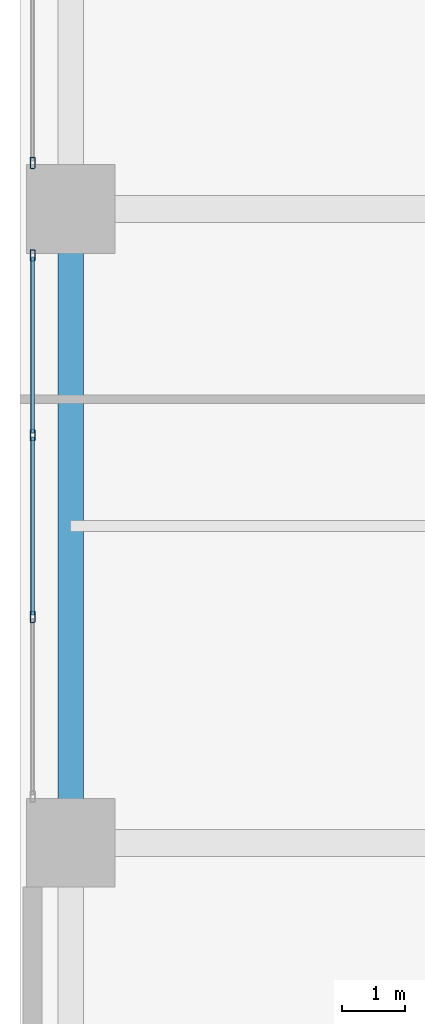
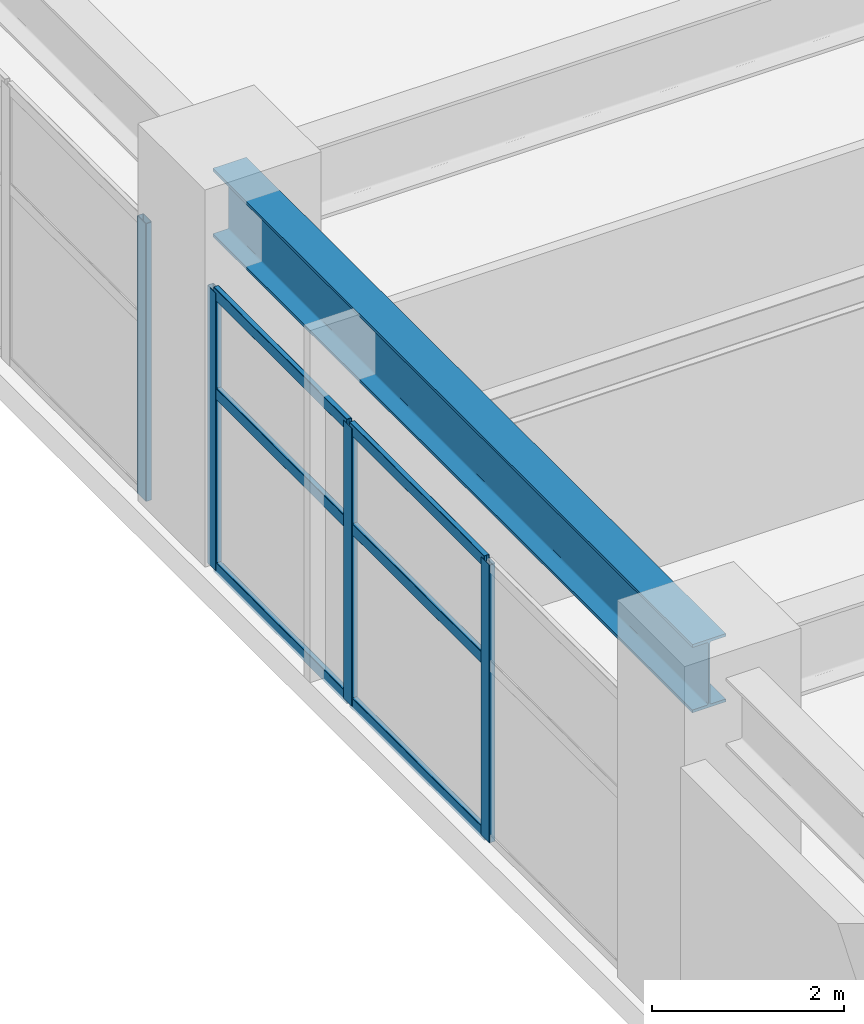
# One storey, part 7 of 28: 10 members, 1 beam, 2 elements without a shape of their own.
"""IFC4 building model written with IfcOpenShell, lengths in metres."""

from ifc_helpers import new_model, si_unit, direction, frame, origin, origin_2d, place, context, subcontext, project, spatial, hollow_rectangle, i_section, extrude, material, layer, layer_set, material_profile, profile_set, type_object, element, aggregate, save


model = new_model("IFC4")

# Units and contexts
model_context = context("Model", 3, precision=1e-05, world=origin(), true_north=direction((0.0, 1.0)))
body_context = subcontext(model_context, "Body", "Model", "MODEL_VIEW")
ifc_project = project(units=[si_unit("LENGTHUNIT", "METRE"), si_unit("AREAUNIT", "SQUARE_METRE"), si_unit("VOLUMEUNIT", "CUBIC_METRE"), si_unit("PLANEANGLEUNIT", "RADIAN"), si_unit("MASSUNIT", "GRAM", prefix="KILO")], contexts=[model_context])

# Site, building, storey
site_placement = place(None, origin())
site = spatial("IfcSite", under=ifc_project, at=site_placement, CompositionType="ELEMENT")
building_placement = place(site_placement, origin())
building = spatial("IfcBuilding", under=site, at=building_placement, Name="Soratama Intermodal Tower", CompositionType="ELEMENT")
storey_placement = place(building_placement, frame((0.0, 0.0, 11.39990234375)))
storey = spatial("IfcBuildingStorey", under=building, at=storey_placement, Name="L02", CompositionType="ELEMENT", Elevation=11.39990234375)

# Beam
ifc_material_1 = material(Name="Structural steel ASTM A992 Grade 50", Category="steel")
ifc_material_profile_1 = material_profile(ifc_material_1, i_section(OverallWidth=0.403076171875, OverallDepth=0.867919921875, WebThickness=0.02099609375, FlangeThickness=0.03564453125, FilletRadius=0.01806640625, at=origin_2d()), Name="W33X241")
ifc_profile_set_1 = profile_set([ifc_material_profile_1], Name="Structural steel ASTM A992 Grade 50")
beam_type = type_object("IfcBeamType", Name="BM-POD-EXT-W33", PredefinedType="BEAM", material=ifc_profile_set_1)
beam_placement = place(storey_placement, frame((0.800048828125, 15.0, 4.046142578125), z_axis=(0.0, 1.0, 0.0), x_axis=(-1.0, 0.0, 0.0)))
element("IfcBeam", 1, at=beam_placement, inside=storey, type_object=beam_type, Name="L02 Station Girder Y1-2", PredefinedType="BEAM", context=body_context, shape_type="SweptSolid", body=[
    extrude(i_section(OverallWidth=0.403076171875, OverallDepth=0.867919921875, WebThickness=0.02099609375, FlangeThickness=0.03564453125, FilletRadius=0.01806640625, at=origin_2d()), origin(), (0.0, 0.0, 1.0), 10.0),
])

# Curtain wall, members
ifc_material_2 = material(Name="Double-glazed aluminium curtain wall", Category="aluminium")
ifc_layer = layer(ifc_material_2, 0.159912109375)
ifc_layer_set = layer_set([ifc_layer], Name="Double-glazed aluminium curtain wall")
curtain_wall_type = type_object("IfcCurtainWallType", Name="CW-SYS-1", PredefinedType="NOTDEFINED", material=ifc_layer_set)
curtain_wall_1_placement = place(storey_placement, origin())
curtain_wall_1 = element("IfcCurtainWall", 2, at=curtain_wall_1_placement, inside=storey, type_object=curtain_wall_type, Name="L02 Station Curtain Wall W1", PredefinedType="NOTDEFINED")
ifc_material_3 = material(Name="Anodised aluminium AA 6063-T6", Category="aluminium")
ifc_material_profile_2 = material_profile(ifc_material_3, hollow_rectangle(XDim=0.074951171875, YDim=0.179931640625, WallThickness=0.006103515625, InnerFilletRadius=0.006103515625, OuterFilletRadius=0.011962890625, at=origin_2d()), Name="CWM180X75X6")
ifc_profile_set_2 = profile_set([ifc_material_profile_2], Name="Anodised aluminium AA 6063-T6")
member_type_1 = type_object("IfcMemberType", Name="MT-CWM-1", PredefinedType="MULLION", material=ifc_profile_set_2)
member_1_placement = place(storey_placement, frame((0.199951171875, 18.566650390625, 0.0), z_axis=(0.0, 0.0, 1.0), x_axis=(-1.0, 0.0, 0.0)))
member_1 = element("IfcMember", 3, at=member_1_placement, type_object=member_type_1, Name="CW-1 mullion 2", PredefinedType="MULLION", context=body_context, shape_type="SweptSolid", body=[
    extrude(hollow_rectangle(XDim=0.074951171875, YDim=0.179931640625, WallThickness=0.006103515625, InnerFilletRadius=0.006103515625, OuterFilletRadius=0.011962890625, at=origin_2d()), origin(), (0.0, 0.0, 1.0), 3.5361328125),
])
member_2_placement = place(storey_placement, frame((0.199951171875, 21.433349609375, 0.0), z_axis=(0.0, 0.0, 1.0), x_axis=(-1.0, 0.0, 0.0)))
member_2 = element("IfcMember", 4, at=member_2_placement, type_object=member_type_1, Name="CW-1 mullion 3", PredefinedType="MULLION", context=body_context, shape_type="SweptSolid", body=[
    extrude(hollow_rectangle(XDim=0.074951171875, YDim=0.179931640625, WallThickness=0.006103515625, InnerFilletRadius=0.006103515625, OuterFilletRadius=0.011962890625, at=origin_2d()), origin(), (0.0, 0.0, 1.0), 3.5361328125),
])
member_3_placement = place(storey_placement, frame((0.199951171875, 24.27001953125, 0.0), z_axis=(0.0, 0.0, 1.0), x_axis=(-1.0, 0.0, 0.0)))
member_3 = element("IfcMember", 5, at=member_3_placement, type_object=member_type_1, Name="CW-1 mullion 4", PredefinedType="MULLION", context=body_context, shape_type="SweptSolid", body=[
    extrude(hollow_rectangle(XDim=0.074951171875, YDim=0.179931640625, WallThickness=0.006103515625, InnerFilletRadius=0.006103515625, OuterFilletRadius=0.011962890625, at=origin_2d()), origin(), (0.0, 0.0, 1.0), 3.5361328125),
])

# Curtain wall, member
curtain_wall_2_placement = place(storey_placement, origin())
curtain_wall_2 = element("IfcCurtainWall", 6, at=curtain_wall_2_placement, inside=storey, type_object=curtain_wall_type, Name="L02 Station Curtain Wall W2", PredefinedType="NOTDEFINED")
member_4_placement = place(storey_placement, frame((0.199951171875, 25.72998046875, 0.0), z_axis=(0.0, 0.0, 1.0), x_axis=(-1.0, 0.0, 0.0)))
member_4 = element("IfcMember", 7, at=member_4_placement, type_object=member_type_1, Name="CW-1 mullion 1", PredefinedType="MULLION", context=body_context, shape_type="SweptSolid", body=[
    extrude(hollow_rectangle(XDim=0.074951171875, YDim=0.179931640625, WallThickness=0.006103515625, InnerFilletRadius=0.006103515625, OuterFilletRadius=0.011962890625, at=origin_2d()), origin(), (0.0, 0.0, 1.0), 3.5361328125),
])
aggregate(curtain_wall_2, [member_4])

# Member
ifc_material_4 = material(Name="Anodised aluminium AA 6063-T6", Category="aluminium")
ifc_material_profile_3 = material_profile(ifc_material_4, hollow_rectangle(XDim=0.06494140625, YDim=0.14990234375, WallThickness=0.0048828125, InnerFilletRadius=0.0048828125, OuterFilletRadius=0.010009765625, at=origin_2d()), Name="CWT150X65X5")
ifc_profile_set_3 = profile_set([ifc_material_profile_3], Name="Anodised aluminium AA 6063-T6")
member_type_2 = type_object("IfcMemberType", Name="TT-CWT-1", PredefinedType="USERDEFINED", material=ifc_profile_set_3)
member_5_placement = place(storey_placement, frame((0.199951171875, 18.5966796875, 0.030029296875), z_axis=(0.0, 1.0, 0.0), x_axis=(-1.0, 0.0, 0.0)))
member_5 = element("IfcMember", 8, at=member_5_placement, type_object=member_type_2, Name="CW-1 transom 2.1", ObjectType="TRANSOM", PredefinedType="USERDEFINED", context=body_context, shape_type="SweptSolid", body=[
    extrude(hollow_rectangle(XDim=0.06494140625, YDim=0.14990234375, WallThickness=0.0048828125, InnerFilletRadius=0.0048828125, OuterFilletRadius=0.010009765625, at=origin_2d()), origin(), (0.0, 0.0, 1.0), 2.806640625),
])

member_6_placement = place(storey_placement, frame((0.199951171875, 18.5966796875, 2.25), z_axis=(0.0, 1.0, 0.0), x_axis=(-1.0, 0.0, 0.0)))
member_6 = element("IfcMember", 9, at=member_6_placement, type_object=member_type_2, Name="CW-1 transom 2.2", ObjectType="TRANSOM", PredefinedType="USERDEFINED", context=body_context, shape_type="SweptSolid", body=[
    extrude(hollow_rectangle(XDim=0.06494140625, YDim=0.14990234375, WallThickness=0.0048828125, InnerFilletRadius=0.0048828125, OuterFilletRadius=0.010009765625, at=origin_2d()), origin(), (0.0, 0.0, 1.0), 2.806640625),
])

member_7_placement = place(storey_placement, frame((0.199951171875, 18.5966796875, 3.506103515625), z_axis=(0.0, 1.0, 0.0), x_axis=(-1.0, 0.0, 0.0)))
member_7 = element("IfcMember", 10, at=member_7_placement, type_object=member_type_2, Name="CW-1 transom 2.3", ObjectType="TRANSOM", PredefinedType="USERDEFINED", context=body_context, shape_type="SweptSolid", body=[
    extrude(hollow_rectangle(XDim=0.06494140625, YDim=0.14990234375, WallThickness=0.0048828125, InnerFilletRadius=0.0048828125, OuterFilletRadius=0.010009765625, at=origin_2d()), origin(), (0.0, 0.0, 1.0), 2.806640625),
])

member_8_placement = place(storey_placement, frame((0.199951171875, 21.46337890625, 0.030029296875), z_axis=(0.0, 1.0, 0.0), x_axis=(-1.0, 0.0, 0.0)))
member_8 = element("IfcMember", 11, at=member_8_placement, type_object=member_type_2, Name="CW-1 transom 3.1", ObjectType="TRANSOM", PredefinedType="USERDEFINED", context=body_context, shape_type="SweptSolid", body=[
    extrude(hollow_rectangle(XDim=0.06494140625, YDim=0.14990234375, WallThickness=0.0048828125, InnerFilletRadius=0.0048828125, OuterFilletRadius=0.010009765625, at=origin_2d()), origin(), (0.0, 0.0, 1.0), 2.776611328125),
])

member_9_placement = place(storey_placement, frame((0.199951171875, 21.46337890625, 2.25), z_axis=(0.0, 1.0, 0.0), x_axis=(-1.0, 0.0, 0.0)))
member_9 = element("IfcMember", 12, at=member_9_placement, type_object=member_type_2, Name="CW-1 transom 3.2", ObjectType="TRANSOM", PredefinedType="USERDEFINED", context=body_context, shape_type="SweptSolid", body=[
    extrude(hollow_rectangle(XDim=0.06494140625, YDim=0.14990234375, WallThickness=0.0048828125, InnerFilletRadius=0.0048828125, OuterFilletRadius=0.010009765625, at=origin_2d()), origin(), (0.0, 0.0, 1.0), 2.776611328125),
])

member_10_placement = place(storey_placement, frame((0.199951171875, 21.46337890625, 3.506103515625), z_axis=(0.0, 1.0, 0.0), x_axis=(-1.0, 0.0, 0.0)))
member_10 = element("IfcMember", 13, at=member_10_placement, type_object=member_type_2, Name="CW-1 transom 3.3", ObjectType="TRANSOM", PredefinedType="USERDEFINED", context=body_context, shape_type="SweptSolid", body=[
    extrude(hollow_rectangle(XDim=0.06494140625, YDim=0.14990234375, WallThickness=0.0048828125, InnerFilletRadius=0.0048828125, OuterFilletRadius=0.010009765625, at=origin_2d()), origin(), (0.0, 0.0, 1.0), 2.776611328125),
])

aggregate(curtain_wall_1, [member_1, member_2, member_3, member_5, member_6, member_7, member_8, member_9, member_10])

save(model, "model.ifc")
